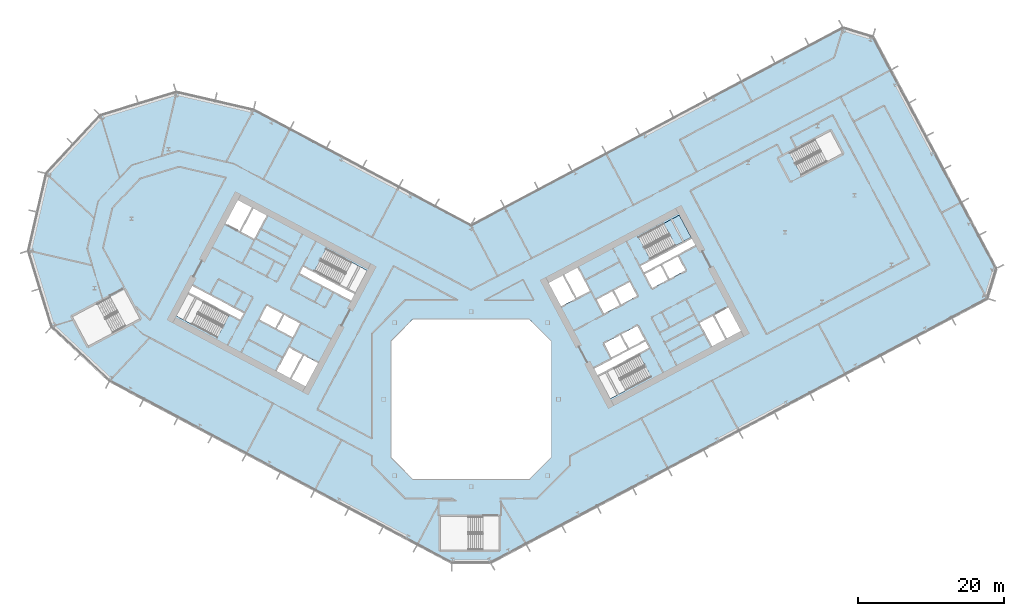
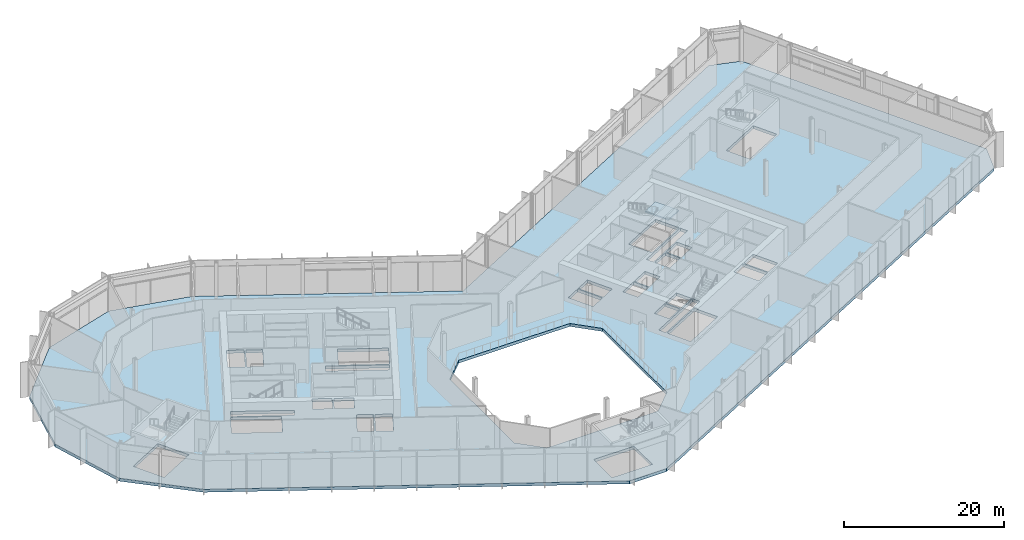
# One storey, part 10 of 31: 2 slabs, 1 element without a shape of its own.
"""IFC4 building model written with IfcOpenShell, lengths in metres."""

from ifc_helpers import new_model, si_unit, direction, frame, origin, place, context, subcontext, project, spatial, polyline, outline, extrude, material, layer, layer_set, type_object, element, aggregate, save


model = new_model("IFC4")

# Units and contexts
model_context = context("Model", 3, precision=1e-05, world=origin(), true_north=direction((0.0, 1.0)))
body_context = subcontext(model_context, "Body", "Model", "MODEL_VIEW")
ifc_project = project(units=[si_unit("LENGTHUNIT", "METRE"), si_unit("AREAUNIT", "SQUARE_METRE"), si_unit("VOLUMEUNIT", "CUBIC_METRE"), si_unit("PLANEANGLEUNIT", "RADIAN"), si_unit("MASSUNIT", "GRAM", prefix="KILO")], contexts=[model_context])

# Site, building, storey
site_placement = place(None, origin())
site = spatial("IfcSite", under=ifc_project, at=site_placement, CompositionType="ELEMENT")
building_placement = place(site_placement, origin())
building = spatial("IfcBuilding", under=site, at=building_placement, Name="Cormorant Relay Tower", CompositionType="ELEMENT")
storey_placement = place(building_placement, frame((0.0, 0.0, 23.0)))
storey = spatial("IfcBuildingStorey", under=building, at=storey_placement, Name="L04", CompositionType="ELEMENT", Elevation=23.0)

# Stair, slab
ifc_material_1 = material(Name="Concrete 40 MPa", Category="concrete")
stair_type = type_object("IfcStairType", Name="Exit stair 1500", PredefinedType="HALF_TURN_STAIR", material=ifc_material_1)
stair_placement = place(storey_placement, origin())
stair = element("IfcStair", 1, at=stair_placement, inside=storey, type_object=stair_type, Name="L04 Stair", PredefinedType="HALF_TURN_STAIR")
ifc_material_2 = material(Name="Concrete 40 MPa", Category="concrete")
ifc_layer_1 = layer(ifc_material_2, 0.199951171875)
ifc_layer_set_1 = layer_set([ifc_layer_1], Name="Exit stair landing 200")
slab_type_1 = type_object("IfcSlabType", Name="Exit stair landing 200", PredefinedType="LANDING", material=ifc_layer_set_1)
slab_1_placement = place(storey_placement, frame((0.0, 0.0, 2.5)))
slab_1 = element("IfcSlab", 2, at=slab_1_placement, type_object=slab_type_1, Name="B2 landing 1", PredefinedType="LANDING", context=body_context, shape_type="SweptSolid", body=[
    extrude(outline(polyline([(28.05322265625, 21.088623046875), (30.19873046875, 22.2294921875), (28.5791015625, 25.275634765625), (26.43359375, 24.134765625), (28.05322265625, 21.088623046875)])), origin(), (0.0, 0.0, 1.0), 0.199951171875),
])
aggregate(stair, [slab_1])

# Slab
ifc_material_3 = material(Name="Concrete 40 MPa", Category="concrete")
ifc_layer_2 = layer(ifc_material_3, 0.449951171875)
ifc_layer_set_2 = layer_set([ifc_layer_2], Name="Flat plate 450")
slab_type_2 = type_object("IfcSlabType", Name="Flat plate 450", PredefinedType="FLOOR", material=ifc_layer_set_2)
slab_2_placement = place(storey_placement, frame((0.0, 0.0, -0.449951171875)))
element("IfcSlab", 3, at=slab_2_placement, inside=storey, type_object=slab_type_2, Name="Floor slab L04", PredefinedType="FLOOR", context=body_context, shape_type="SweptSolid", body=[
    extrude(outline(polyline([(-60.7197265625, 20.393310546875), (-58.2744140625, 30.985107421875), (-50.86083984375, 38.935302734375), (-40.465576171875, 42.11328125), (-29.873779296875, 39.668212890625), (0.0, 23.783935546875), (51.064453125, 50.935302734375), (55.12158203125, 49.695068359375), (72.022705078125, 17.908935546875), (70.7822265625, 13.8515625), (2.648681640625, -22.37548828125), (-2.648681640625, -22.37548828125), (-49.591552734375, 2.584228515625), (-57.541748046875, 9.997802734375), (-60.7197265625, 20.393310546875)]), holes=[polyline([(11.0, -8.0), (11.0, 8.0), (8.0, 11.0), (-8.0, 11.0), (-11.0, 8.0), (-11.0, -8.0), (-8.0, -11.0), (8.0, -11.0), (11.0, -8.0)]), polyline([(-4.199951171875, -16.125), (-4.199951171875, -20.675048828125), (1.60009765625, -20.675048828125), (1.60009765625, -16.125), (-4.199951171875, -16.125)]), polyline([(-22.95458984375, 6.03271484375), (-24.668212890625, 2.81005859375), (-22.725830078125, 1.777099609375), (-21.01220703125, 5.0), (-23.04296875, 6.07958984375), (-22.95458984375, 6.03271484375)]), polyline([(-24.985595703125, 7.112548828125), (-26.69921875, 3.889892578125), (-24.844970703125, 2.90380859375), (-23.13134765625, 6.126708984375), (-23.04296875, 6.07958984375), (-24.985595703125, 7.112548828125)]), polyline([(-24.481201171875, 8.48681640625), (-23.448486328125, 10.42919921875), (-25.656005859375, 11.602783203125), (-26.688720703125, 9.660400390625), (-24.481201171875, 8.48681640625)]), polyline([(-49.57861328125, 14.0537109375), (-54.69970703125, 11.330810546875), (-52.563720703125, 7.3134765625), (-47.442626953125, 10.036376953125), (-49.57861328125, 14.0537109375)]), polyline([(-25.83251953125, 11.69677734375), (-28.039794921875, 12.870361328125), (-29.07275390625, 10.927978515625), (-26.865234375, 9.75439453125), (-25.83251953125, 11.69677734375)]), polyline([(-38.847900390625, 14.483154296875), (-40.46728515625, 11.43701171875), (-34.860595703125, 8.455810546875), (-33.240966796875, 11.502197265625), (-38.847900390625, 14.483154296875)]), polyline([(-38.260986328125, 15.5869140625), (-38.75390625, 14.659912109375), (-31.690185546875, 10.904052734375), (-31.197265625, 11.8310546875), (-38.260986328125, 15.5869140625)]), polyline([(14.3056640625, 13.779052734375), (12.592041015625, 17.001708984375), (10.649658203125, 15.968994140625), (12.36328125, 12.74609375), (14.39404296875, 13.825927734375), (14.3056640625, 13.779052734375)]), polyline([(16.33642578125, 14.85888671875), (14.622802734375, 18.08154296875), (12.768798828125, 17.095703125), (14.482421875, 13.872802734375), (14.39404296875, 13.825927734375), (16.33642578125, 14.85888671875)]), polyline([(-16.481689453125, 13.520263671875), (-15.989013671875, 14.447509765625), (-23.052490234375, 18.203125), (-23.54541015625, 17.276123046875), (-16.481689453125, 13.520263671875)]), polyline([(-21.501708984375, 17.605224609375), (-15.89501953125, 14.6240234375), (-14.275390625, 17.670166015625), (-19.882080078125, 20.6513671875), (-21.501708984375, 17.605224609375)]), polyline([(-31.611572265625, 22.980712890625), (-29.75732421875, 21.99462890625), (-28.043701171875, 25.217529296875), (-29.89794921875, 26.203369140625), (-31.611572265625, 22.980712890625)]), polyline([(-33.73046875, 24.107421875), (-31.7880859375, 23.074462890625), (-30.074462890625, 26.29736328125), (-32.01708984375, 27.330078125), (-33.73046875, 24.107421875)]), polyline([(23.087158203125, 6.10302734375), (17.48046875, 3.1220703125), (19.10009765625, 0.07568359375), (24.706787109375, 3.056884765625), (23.087158203125, 6.10302734375)]), polyline([(16.8935546875, 4.2255859375), (17.386474609375, 3.298583984375), (24.4501953125, 7.054443359375), (23.957275390625, 7.9814453125), (16.8935546875, 4.2255859375)]), polyline([(20.446533203125, 8.8330078125), (18.239013671875, 7.6591796875), (19.27197265625, 5.716796875), (21.479248046875, 6.890380859375), (20.446533203125, 8.8330078125)]), polyline([(20.623046875, 8.927001953125), (21.656005859375, 6.984375), (23.86328125, 8.158203125), (22.830322265625, 10.1005859375), (20.623046875, 8.927001953125)]), polyline([(33.197021484375, 11.478515625), (31.3427734375, 10.49267578125), (33.056396484375, 7.27001953125), (34.910400390625, 8.255859375), (33.197021484375, 11.478515625)]), polyline([(33.37353515625, 11.572509765625), (35.087158203125, 8.349609375), (37.029541015625, 9.382568359375), (35.31591796875, 12.605224609375), (33.37353515625, 11.572509765625)]), polyline([(17.19384765625, 13.67236328125), (18.2265625, 11.72998046875), (20.43408203125, 12.903564453125), (19.401123046875, 14.84619140625), (17.19384765625, 13.67236328125)]), polyline([(20.610595703125, 12.99755859375), (22.81787109375, 14.171142578125), (21.78515625, 16.113525390625), (19.57763671875, 14.93994140625), (20.610595703125, 12.99755859375)]), polyline([(26.023193359375, 18.3671875), (23.81591796875, 17.193359375), (24.8486328125, 15.2509765625), (27.05615234375, 16.424560546875), (26.023193359375, 18.3671875)]), polyline([(29.440185546875, 17.692138671875), (28.4072265625, 19.634765625), (26.19970703125, 18.4609375), (27.232666015625, 16.5185546875), (29.440185546875, 17.692138671875)]), polyline([(30.78564453125, 21.125732421875), (30.29248046875, 22.052978515625), (23.22900390625, 18.297119140625), (23.721923828125, 17.3701171875), (30.78564453125, 21.125732421875)]), polyline([(24.592041015625, 19.248291015625), (30.19873046875, 22.2294921875), (28.5791015625, 25.275634765625), (22.972412109375, 22.29443359375), (24.592041015625, 19.248291015625)]), polyline([(45.3349609375, 30.773681640625), (50.941650390625, 33.7548828125), (49.322021484375, 36.801025390625), (43.715087890625, 33.81982421875), (45.3349609375, 30.773681640625)])]), origin(), (0.0, 0.0, 1.0), 0.449951171875),
])

save(model, "model.ifc")
